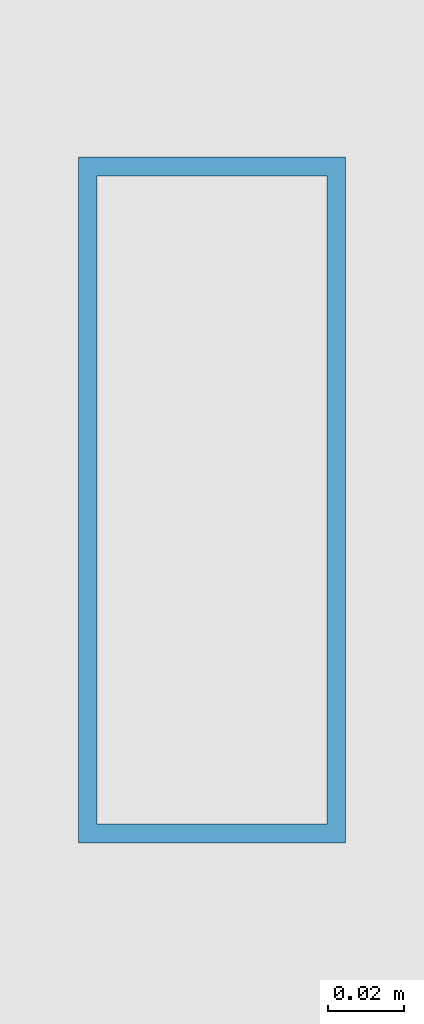
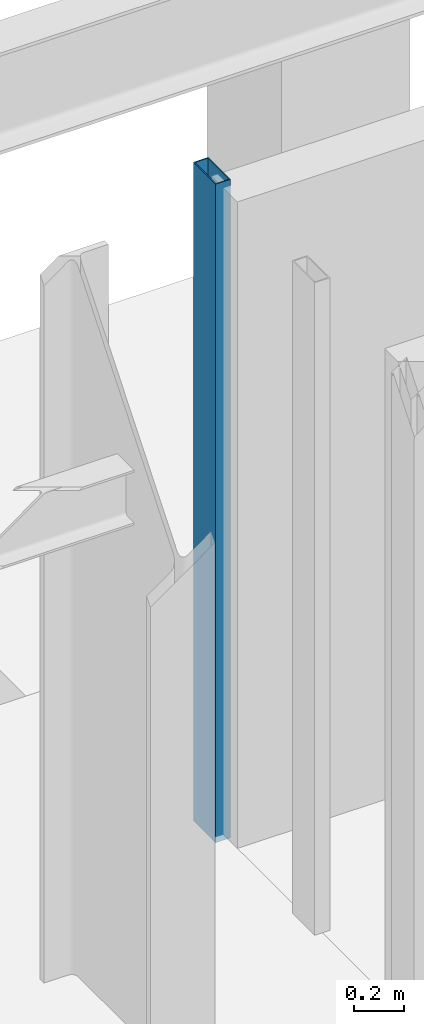
# One storey, part 89 of 160: 1 member, 1 element without a shape of its own.
"""IFC4 building model written with IfcOpenShell, lengths in metres."""

from ifc_helpers import new_model, si_unit, direction, frame, origin, origin_2d, place, context, subcontext, project, spatial, hollow_rectangle, extrude, material, layer, layer_set, material_profile, profile_set, type_object, element, aggregate, save


model = new_model("IFC4")

# Units and contexts
model_context = context("Model", 3, precision=1e-05, world=origin(), true_north=direction((0.0, 1.0)))
body_context = subcontext(model_context, "Body", "Model", "MODEL_VIEW")
ifc_project = project(units=[si_unit("LENGTHUNIT", "METRE"), si_unit("AREAUNIT", "SQUARE_METRE"), si_unit("VOLUMEUNIT", "CUBIC_METRE"), si_unit("PLANEANGLEUNIT", "RADIAN"), si_unit("MASSUNIT", "GRAM", prefix="KILO")], contexts=[model_context])

# Site, building, storey
site_placement = place(None, origin())
site = spatial("IfcSite", under=ifc_project, at=site_placement, CompositionType="ELEMENT")
building_placement = place(site_placement, origin())
building = spatial("IfcBuilding", under=site, at=building_placement, Name="Marlcrest Central Station", CompositionType="ELEMENT")
storey_placement = place(building_placement, origin())
storey = spatial("IfcBuildingStorey", under=building, at=storey_placement, Name="L00", CompositionType="ELEMENT", Elevation=0.0)

# Curtain wall, member
ifc_material_1 = material(Name="Anodised aluminium and hurricane laminated glass", Category="aluminium")
ifc_layer = layer(ifc_material_1, 0.179931640625, Name="CW-S1")
ifc_layer_set = layer_set([ifc_layer], Name="Anodised aluminium and hurricane laminated glass")
curtain_wall_type = type_object("IfcCurtainWallType", Name="CW-S1", PredefinedType="USERDEFINED", material=ifc_layer_set)
curtain_wall_placement = place(storey_placement, origin())
curtain_wall = element("IfcCurtainWall", 1, at=curtain_wall_placement, inside=storey, type_object=curtain_wall_type, Name="cw-L00-0180", ObjectType="STICK_CURTAIN_WALL", PredefinedType="USERDEFINED")
ifc_material_2 = material(Name="Anodised aluminium 6063-T6", Category="aluminium")
ifc_material_profile = material_profile(ifc_material_2, hollow_rectangle(XDim=0.070068359375, YDim=0.179931640625, WallThickness=0.0048828125, at=origin_2d()), Name="AA-RHS 180x70x5")
ifc_profile_set = profile_set([ifc_material_profile], Name="Anodised aluminium 6063-T6")
member_type = type_object("IfcMemberType", Name="ML-02", PredefinedType="MULLION", material=ifc_profile_set)
member_placement = place(storey_placement, frame((141.5, 94.85009765625, 0.885009765625), z_axis=(0.0, 0.0, 1.0), x_axis=(1.0, 0.0, 0.0)))
member = element("IfcMember", 2, at=member_placement, type_object=member_type, Name="cw-L00-0180-ml-2", PredefinedType="MULLION", context=body_context, shape_type="SweptSolid", body=[
    extrude(hollow_rectangle(XDim=0.070068359375, YDim=0.179931640625, WallThickness=0.0048828125, at=origin_2d()), origin(), (0.0, 0.0, 1.0), 3.244873046875),
])
aggregate(curtain_wall, [member])

save(model, "model.ifc")
